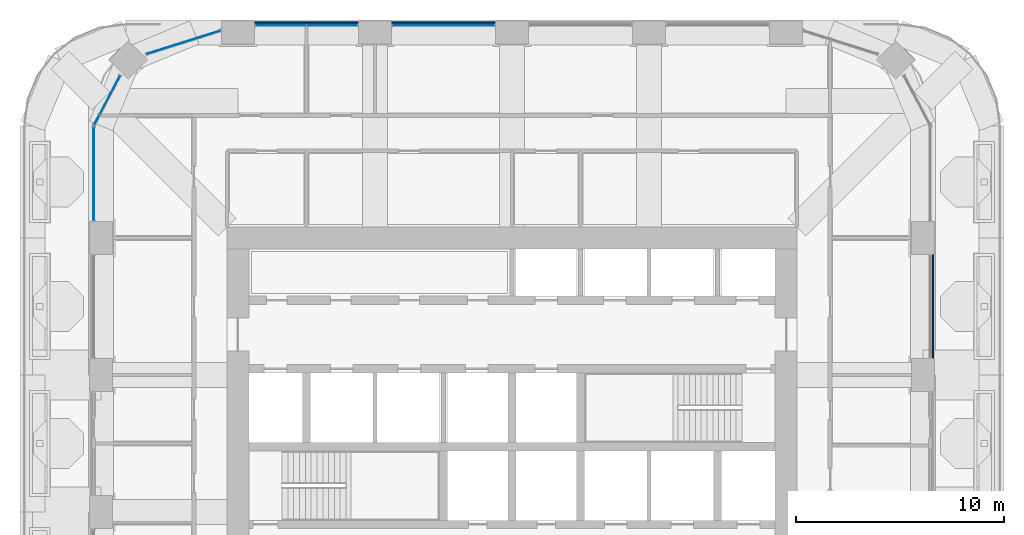
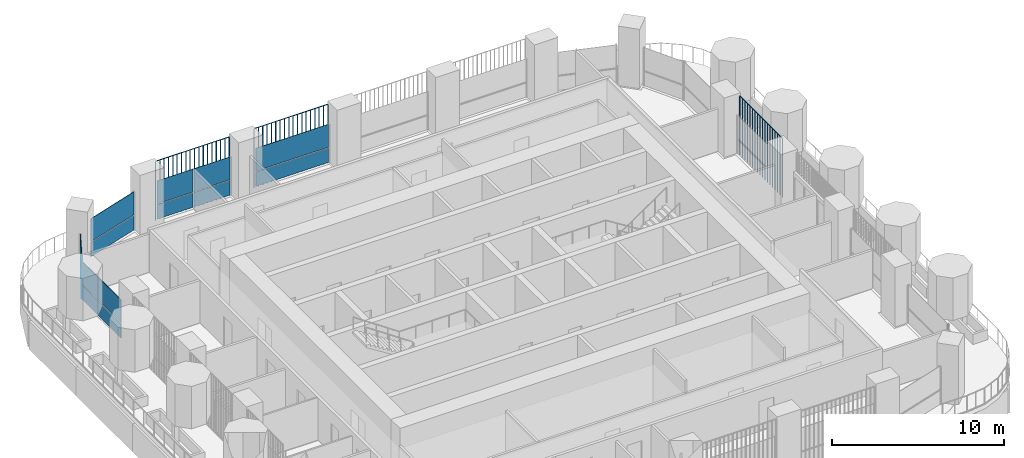
# One storey, part 12 of 24: 17 plates, 5 elements without a shape of their own.
"""IFC4 building model written with IfcOpenShell, lengths in metres."""

from ifc_helpers import new_model, si_unit, direction, frame, origin, origin_2d, place, context, subcontext, project, spatial, polyline, rectangle, outline, extrude, material, layer, layer_set, type_object, element, aggregate, save


model = new_model("IFC4")

# Units and contexts
model_context = context("Model", 3, precision=1e-05, world=origin(), true_north=direction((0.0, 1.0)))
body_context = subcontext(model_context, "Body", "Model", "MODEL_VIEW")
ifc_project = project(units=[si_unit("LENGTHUNIT", "METRE"), si_unit("AREAUNIT", "SQUARE_METRE"), si_unit("VOLUMEUNIT", "CUBIC_METRE"), si_unit("PLANEANGLEUNIT", "RADIAN"), si_unit("MASSUNIT", "GRAM", prefix="KILO")], contexts=[model_context])

# Site, building, storey
site_placement = place(None, origin())
site = spatial("IfcSite", under=ifc_project, at=site_placement, CompositionType="ELEMENT")
building_placement = place(site_placement, origin())
building = spatial("IfcBuilding", under=site, at=building_placement, Name="Cobogo Forest Laboratory Tower", CompositionType="ELEMENT")
storey_placement = place(building_placement, frame((0.0, 0.0, 229.199951171875)))
storey = spatial("IfcBuildingStorey", under=building, at=storey_placement, Name="L52", CompositionType="ELEMENT", Elevation=229.199951171875)

# Curtain wall, plates
ifc_material_1 = material(Name="Aluminium curtain wall", Category="aluminium")
curtain_wall_type = type_object("IfcCurtainWallType", Name="CW-2 unitised curtain wall, solar control glazing, laboratory floors zones C and D", PredefinedType="USERDEFINED", material=ifc_material_1)
curtain_wall_1_placement = place(storey_placement, origin())
curtain_wall_1 = element("IfcCurtainWall", 1, at=curtain_wall_1_placement, inside=storey, type_object=curtain_wall_type, Name="Curtain wall 16 L52", ObjectType="UNITISED CURTAIN WALL", PredefinedType="USERDEFINED")
ifc_material_2 = material(Name="Solar control insulated glass", Category="glass")
ifc_layer = layer(ifc_material_2, 0.031982421875)
ifc_layer_set = layer_set([ifc_layer], Name="GP-2 solar control glass unit 32")
plate_type_1 = type_object("IfcPlateType", Name="GP-2 solar control glass unit 32", PredefinedType="CURTAIN_PANEL", material=ifc_layer_set)
plate_1_placement = place(storey_placement, frame((23.10009765625, 43.25, 0.0), z_axis=(0.0, 0.0, 1.0), x_axis=(-1.0, 0.0, 0.0)))
plate_1 = element("IfcPlate", 2, at=plate_1_placement, type_object=plate_type_1, Name="CW-2 panel 1.1", PredefinedType="CURTAIN_PANEL", context=body_context, shape_type="SweptSolid", body=[
    extrude(rectangle(XDim=4.8798828125, YDim=0.031982421875, at=origin_2d()), origin(), (0.0, 0.0, 1.0), 1.02001953125),
])
plate_2_placement = place(storey_placement, frame((23.10009765625, 43.25, 1.080078125), z_axis=(0.0, 0.0, 1.0), x_axis=(-1.0, 0.0, 0.0)))
plate_2 = element("IfcPlate", 3, at=plate_2_placement, type_object=plate_type_1, Name="CW-2 panel 1.2", PredefinedType="CURTAIN_PANEL", context=body_context, shape_type="SweptSolid", body=[
    extrude(rectangle(XDim=4.8798828125, YDim=0.031982421875, at=origin_2d()), origin(), (0.0, 0.0, 1.0), 1.6201171875),
])
aggregate(curtain_wall_1, [plate_1, plate_2])

curtain_wall_2_placement = place(storey_placement, origin())
curtain_wall_2 = element("IfcCurtainWall", 4, at=curtain_wall_2_placement, inside=storey, type_object=curtain_wall_type, Name="Curtain wall 17 L52", ObjectType="UNITISED CURTAIN WALL", PredefinedType="USERDEFINED")
plate_3_placement = place(storey_placement, frame((17.735107421875, 43.25, 0.0), z_axis=(0.0, 0.0, 1.0), x_axis=(-1.0, 0.0, 0.0)))
plate_3 = element("IfcPlate", 5, at=plate_3_placement, type_object=plate_type_1, Name="CW-2 panel 1.1", PredefinedType="CURTAIN_PANEL", context=body_context, shape_type="SweptSolid", body=[
    extrude(rectangle(XDim=2.409912109375, YDim=0.031982421875, at=origin_2d()), origin(), (0.0, 0.0, 1.0), 1.02001953125),
])
plate_4_placement = place(storey_placement, frame((17.735107421875, 43.25, 1.080078125), z_axis=(0.0, 0.0, 1.0), x_axis=(-1.0, 0.0, 0.0)))
plate_4 = element("IfcPlate", 6, at=plate_4_placement, type_object=plate_type_1, Name="CW-2 panel 1.2", PredefinedType="CURTAIN_PANEL", context=body_context, shape_type="SweptSolid", body=[
    extrude(rectangle(XDim=2.409912109375, YDim=0.031982421875, at=origin_2d()), origin(), (0.0, 0.0, 1.0), 1.6201171875),
])
plate_5_placement = place(storey_placement, frame((15.264892578125, 43.25, 0.0), z_axis=(0.0, 0.0, 1.0), x_axis=(-1.0, 0.0, 0.0)))
plate_5 = element("IfcPlate", 7, at=plate_5_placement, type_object=plate_type_1, Name="CW-2 panel 2.1", PredefinedType="CURTAIN_PANEL", context=body_context, shape_type="SweptSolid", body=[
    extrude(rectangle(XDim=2.409912109375, YDim=0.031982421875, at=origin_2d()), origin(), (0.0, 0.0, 1.0), 1.02001953125),
])
plate_6_placement = place(storey_placement, frame((15.264892578125, 43.25, 1.080078125), z_axis=(0.0, 0.0, 1.0), x_axis=(-1.0, 0.0, 0.0)))
plate_6 = element("IfcPlate", 8, at=plate_6_placement, type_object=plate_type_1, Name="CW-2 panel 2.2", PredefinedType="CURTAIN_PANEL", context=body_context, shape_type="SweptSolid", body=[
    extrude(rectangle(XDim=2.409912109375, YDim=0.031982421875, at=origin_2d()), origin(), (0.0, 0.0, 1.0), 1.6201171875),
])
aggregate(curtain_wall_2, [plate_3, plate_4, plate_5, plate_6])

curtain_wall_3_placement = place(storey_placement, origin())
curtain_wall_3 = element("IfcCurtainWall", 9, at=curtain_wall_3_placement, inside=storey, type_object=curtain_wall_type, Name="Curtain wall 18 L52", ObjectType="UNITISED CURTAIN WALL", PredefinedType="USERDEFINED")
plate_7_placement = place(storey_placement, frame((10.578125, 42.422119140625, 0.0), z_axis=(0.0, 0.0, 1.0), x_axis=(-0.953581351952, -0.301135526315, 0.0)))
plate_7 = element("IfcPlate", 10, at=plate_7_placement, type_object=plate_type_1, Name="CW-2 panel 1.1", PredefinedType="CURTAIN_PANEL", context=body_context, shape_type="SweptSolid", body=[
    extrude(rectangle(XDim=3.700927734375, YDim=0.031982421875, at=origin_2d()), origin(), (0.0, 0.0, 1.0), 1.02001953125),
])
plate_8_placement = place(storey_placement, frame((10.578125, 42.422119140625, 1.080078125), z_axis=(0.0, 0.0, 1.0), x_axis=(-0.953581351952, -0.301135526315, 0.0)))
plate_8 = element("IfcPlate", 11, at=plate_8_placement, type_object=plate_type_1, Name="CW-2 panel 1.2", PredefinedType="CURTAIN_PANEL", context=body_context, shape_type="SweptSolid", body=[
    extrude(rectangle(XDim=3.700927734375, YDim=0.031982421875, at=origin_2d()), origin(), (0.0, 0.0, 1.0), 1.6201171875),
])
aggregate(curtain_wall_3, [plate_7, plate_8])

curtain_wall_4_placement = place(storey_placement, origin())
curtain_wall_4 = element("IfcCurtainWall", 12, at=curtain_wall_4_placement, inside=storey, type_object=curtain_wall_type, Name="Curtain wall 19 L52", ObjectType="UNITISED CURTAIN WALL", PredefinedType="USERDEFINED")
plate_9_placement = place(storey_placement, frame((7.028076171875, 39.884521484375, 0.0), z_axis=(0.0, 0.0, 1.0), x_axis=(-0.464283685186, -0.885686547075, 0.0)))
plate_9 = element("IfcPlate", 13, at=plate_9_placement, type_object=plate_type_1, Name="CW-2 panel 1.1", PredefinedType="CURTAIN_PANEL", context=body_context, shape_type="SweptSolid", body=[
    extrude(rectangle(XDim=2.0791015625, YDim=0.031982421875, at=origin_2d()), origin(), (0.0, 0.0, 1.0), 1.02001953125),
])
plate_10_placement = place(storey_placement, frame((7.028076171875, 39.884521484375, 1.080078125), z_axis=(0.0, 0.0, 1.0), x_axis=(-0.464283685186, -0.885686547075, 0.0)))
plate_10 = element("IfcPlate", 14, at=plate_10_placement, type_object=plate_type_1, Name="CW-2 panel 1.2", PredefinedType="CURTAIN_PANEL", context=body_context, shape_type="SweptSolid", body=[
    extrude(rectangle(XDim=2.0791015625, YDim=0.031982421875, at=origin_2d()), origin(), (0.0, 0.0, 1.0), 1.6201171875),
])
plate_11_placement = place(storey_placement, frame((6.397705078125, 38.681884765625, 0.0), z_axis=(0.0, 0.0, 1.0), x_axis=(-0.464283685186, -0.885686547075, 0.0)))
plate_11 = element("IfcPlate", 15, at=plate_11_placement, type_object=plate_type_1, Name="CW-2 panel 2.1", PredefinedType="CURTAIN_PANEL", context=body_context, shape_type="SweptSolid", body=[
    extrude(rectangle(XDim=0.516357421875, YDim=0.031982421875, at=origin_2d()), origin(), (0.0, 0.0, 1.0), 1.02001953125),
])
plate_12_placement = place(storey_placement, frame((6.397705078125, 38.681884765625, 1.080078125), z_axis=(0.0, 0.0, 1.0), x_axis=(-0.464283685186, -0.885686547075, 0.0)))
plate_12 = element("IfcPlate", 16, at=plate_12_placement, type_object=plate_type_1, Name="CW-2 panel 2.2", PredefinedType="CURTAIN_PANEL", context=body_context, shape_type="SweptSolid", body=[
    extrude(rectangle(XDim=0.516357421875, YDim=0.031982421875, at=origin_2d()), origin(), (0.0, 0.0, 1.0), 1.6201171875),
])
aggregate(curtain_wall_4, [plate_9, plate_10, plate_11, plate_12])

curtain_wall_5_placement = place(storey_placement, origin())
curtain_wall_5 = element("IfcCurtainWall", 17, at=curtain_wall_5_placement, inside=storey, type_object=curtain_wall_type, Name="Curtain wall 20 L52", ObjectType="UNITISED CURTAIN WALL", PredefinedType="USERDEFINED")
plate_13_placement = place(storey_placement, frame((6.25, 36.10009765625, 0.0), z_axis=(0.0, 0.0, 1.0), x_axis=(0.0, -1.0, 0.0)))
plate_13 = element("IfcPlate", 18, at=plate_13_placement, type_object=plate_type_1, Name="CW-2 panel 1.1", PredefinedType="CURTAIN_PANEL", context=body_context, shape_type="SweptSolid", body=[
    extrude(rectangle(XDim=4.47998046875, YDim=0.031982421875, at=origin_2d()), origin(), (0.0, 0.0, 1.0), 1.02001953125),
])
plate_14_placement = place(storey_placement, frame((6.25, 36.10009765625, 1.080078125), z_axis=(0.0, 0.0, 1.0), x_axis=(0.0, -1.0, 0.0)))
plate_14 = element("IfcPlate", 19, at=plate_14_placement, type_object=plate_type_1, Name="CW-2 panel 1.2", PredefinedType="CURTAIN_PANEL", context=body_context, shape_type="SweptSolid", body=[
    extrude(rectangle(XDim=4.47998046875, YDim=0.031982421875, at=origin_2d()), origin(), (0.0, 0.0, 1.0), 1.6201171875),
])
aggregate(curtain_wall_5, [plate_13, plate_14])

# Plates
ifc_material_3 = material(Name="Terracotta", Category="masonry")
plate_type_2 = type_object("IfcPlateType", Name="TB1 terracotta baguette screen", PredefinedType="USERDEFINED", material=ifc_material_3)
plate_15_placement = place(storey_placement, frame((46.677978515625, 27.231201171875, -0.14990234375)))
element("IfcPlate", 20, at=plate_15_placement, inside=storey, type_object=plate_type_2, Name="Baguette screen E3 L52", ObjectType="BAGUETTE SCREEN", PredefinedType="USERDEFINED", context=body_context, shape_type="SweptSolid", body=[
    extrude(outline(polyline([(0.02880859375, 0.011962890625), (0.011962890625, 0.02880859375), (-0.011962890625, 0.02880859375), (-0.02880859375, 0.011962890625), (-0.02880859375, -0.011962890625), (-0.011962890625, -0.02880859375), (0.011962890625, -0.02880859375), (0.02880859375, -0.011962890625), (0.02880859375, 0.011962890625)])), frame((0.0, 0.0, 4.168701171875), z_axis=(0.0, 1.0, 0.0), x_axis=(-1.0, 0.0, 0.0)), (0.0, 0.0, 1.0), 4.9375),
    extrude(outline(polyline([(0.02880859375, 0.011962890625), (0.011962890625, 0.02880859375), (-0.011962890625, 0.02880859375), (-0.02880859375, 0.011962890625), (-0.02880859375, -0.011962890625), (-0.011962890625, -0.02880859375), (0.011962890625, -0.02880859375), (0.02880859375, -0.011962890625), (0.02880859375, 0.011962890625)])), origin(), (0.0, 0.0, 1.0), 4.137451171875),
    extrude(outline(polyline([(0.02880859375, 0.011962890625), (0.011962890625, 0.02880859375), (-0.011962890625, 0.02880859375), (-0.02880859375, 0.011962890625), (-0.02880859375, -0.011962890625), (-0.011962890625, -0.02880859375), (0.011962890625, -0.02880859375), (0.02880859375, -0.011962890625), (0.02880859375, 0.011962890625)])), frame((0.0, 0.29052734375, 0.0)), (0.0, 0.0, 1.0), 4.137451171875),
    extrude(outline(polyline([(0.02880859375, 0.011962890625), (0.011962890625, 0.02880859375), (-0.011962890625, 0.02880859375), (-0.02880859375, 0.011962890625), (-0.02880859375, -0.011962890625), (-0.011962890625, -0.02880859375), (0.011962890625, -0.02880859375), (0.02880859375, -0.011962890625), (0.02880859375, 0.011962890625)])), frame((0.0, 0.580810546875, 0.0)), (0.0, 0.0, 1.0), 4.137451171875),
    extrude(outline(polyline([(0.02880859375, 0.011962890625), (0.011962890625, 0.02880859375), (-0.011962890625, 0.02880859375), (-0.02880859375, 0.011962890625), (-0.02880859375, -0.011962890625), (-0.011962890625, -0.02880859375), (0.011962890625, -0.02880859375), (0.02880859375, -0.011962890625), (0.02880859375, 0.011962890625)])), frame((0.0, 0.871337890625, 0.0)), (0.0, 0.0, 1.0), 4.137451171875),
    extrude(outline(polyline([(0.02880859375, 0.011962890625), (0.011962890625, 0.02880859375), (-0.011962890625, 0.02880859375), (-0.02880859375, 0.011962890625), (-0.02880859375, -0.011962890625), (-0.011962890625, -0.02880859375), (0.011962890625, -0.02880859375), (0.02880859375, -0.011962890625), (0.02880859375, 0.011962890625)])), frame((0.0, 1.161865234375, 0.0)), (0.0, 0.0, 1.0), 4.137451171875),
    extrude(outline(polyline([(0.02880859375, 0.011962890625), (0.011962890625, 0.02880859375), (-0.011962890625, 0.02880859375), (-0.02880859375, 0.011962890625), (-0.02880859375, -0.011962890625), (-0.011962890625, -0.02880859375), (0.011962890625, -0.02880859375), (0.02880859375, -0.011962890625), (0.02880859375, 0.011962890625)])), frame((0.0, 1.4521484375, 0.0)), (0.0, 0.0, 1.0), 4.137451171875),
    extrude(outline(polyline([(0.02880859375, 0.011962890625), (0.011962890625, 0.02880859375), (-0.011962890625, 0.02880859375), (-0.02880859375, 0.011962890625), (-0.02880859375, -0.011962890625), (-0.011962890625, -0.02880859375), (0.011962890625, -0.02880859375), (0.02880859375, -0.011962890625), (0.02880859375, 0.011962890625)])), frame((0.0, 1.74267578125, 0.0)), (0.0, 0.0, 1.0), 4.137451171875),
    extrude(outline(polyline([(0.02880859375, 0.011962890625), (0.011962890625, 0.02880859375), (-0.011962890625, 0.02880859375), (-0.02880859375, 0.011962890625), (-0.02880859375, -0.011962890625), (-0.011962890625, -0.02880859375), (0.011962890625, -0.02880859375), (0.02880859375, -0.011962890625), (0.02880859375, 0.011962890625)])), frame((0.0, 2.033203125, 0.0)), (0.0, 0.0, 1.0), 4.137451171875),
    extrude(outline(polyline([(0.02880859375, 0.011962890625), (0.011962890625, 0.02880859375), (-0.011962890625, 0.02880859375), (-0.02880859375, 0.011962890625), (-0.02880859375, -0.011962890625), (-0.011962890625, -0.02880859375), (0.011962890625, -0.02880859375), (0.02880859375, -0.011962890625), (0.02880859375, 0.011962890625)])), frame((0.0, 2.323486328125, 0.0)), (0.0, 0.0, 1.0), 4.137451171875),
    extrude(outline(polyline([(0.02880859375, 0.011962890625), (0.011962890625, 0.02880859375), (-0.011962890625, 0.02880859375), (-0.02880859375, 0.011962890625), (-0.02880859375, -0.011962890625), (-0.011962890625, -0.02880859375), (0.011962890625, -0.02880859375), (0.02880859375, -0.011962890625), (0.02880859375, 0.011962890625)])), frame((0.0, 2.614013671875, 0.0)), (0.0, 0.0, 1.0), 4.137451171875),
    extrude(outline(polyline([(0.02880859375, 0.011962890625), (0.011962890625, 0.02880859375), (-0.011962890625, 0.02880859375), (-0.02880859375, 0.011962890625), (-0.02880859375, -0.011962890625), (-0.011962890625, -0.02880859375), (0.011962890625, -0.02880859375), (0.02880859375, -0.011962890625), (0.02880859375, 0.011962890625)])), frame((0.0, 2.904296875, 0.0)), (0.0, 0.0, 1.0), 4.137451171875),
    extrude(outline(polyline([(0.02880859375, 0.011962890625), (0.011962890625, 0.02880859375), (-0.011962890625, 0.02880859375), (-0.02880859375, 0.011962890625), (-0.02880859375, -0.011962890625), (-0.011962890625, -0.02880859375), (0.011962890625, -0.02880859375), (0.02880859375, -0.011962890625), (0.02880859375, 0.011962890625)])), frame((0.0, 3.19482421875, 0.0)), (0.0, 0.0, 1.0), 4.137451171875),
    extrude(outline(polyline([(0.02880859375, 0.011962890625), (0.011962890625, 0.02880859375), (-0.011962890625, 0.02880859375), (-0.02880859375, 0.011962890625), (-0.02880859375, -0.011962890625), (-0.011962890625, -0.02880859375), (0.011962890625, -0.02880859375), (0.02880859375, -0.011962890625), (0.02880859375, 0.011962890625)])), frame((0.0, 3.4853515625, 0.0)), (0.0, 0.0, 1.0), 4.137451171875),
    extrude(outline(polyline([(0.02880859375, 0.011962890625), (0.011962890625, 0.02880859375), (-0.011962890625, 0.02880859375), (-0.02880859375, 0.011962890625), (-0.02880859375, -0.011962890625), (-0.011962890625, -0.02880859375), (0.011962890625, -0.02880859375), (0.02880859375, -0.011962890625), (0.02880859375, 0.011962890625)])), frame((0.0, 3.775634765625, 0.0)), (0.0, 0.0, 1.0), 4.137451171875),
    extrude(outline(polyline([(0.02880859375, 0.011962890625), (0.011962890625, 0.02880859375), (-0.011962890625, 0.02880859375), (-0.02880859375, 0.011962890625), (-0.02880859375, -0.011962890625), (-0.011962890625, -0.02880859375), (0.011962890625, -0.02880859375), (0.02880859375, -0.011962890625), (0.02880859375, 0.011962890625)])), frame((0.0, 4.066162109375, 0.0)), (0.0, 0.0, 1.0), 4.137451171875),
    extrude(outline(polyline([(0.02880859375, 0.011962890625), (0.011962890625, 0.02880859375), (-0.011962890625, 0.02880859375), (-0.02880859375, 0.011962890625), (-0.02880859375, -0.011962890625), (-0.011962890625, -0.02880859375), (0.011962890625, -0.02880859375), (0.02880859375, -0.011962890625), (0.02880859375, 0.011962890625)])), frame((0.0, 4.356689453125, 0.0)), (0.0, 0.0, 1.0), 4.137451171875),
    extrude(outline(polyline([(0.02880859375, 0.011962890625), (0.011962890625, 0.02880859375), (-0.011962890625, 0.02880859375), (-0.02880859375, 0.011962890625), (-0.02880859375, -0.011962890625), (-0.011962890625, -0.02880859375), (0.011962890625, -0.02880859375), (0.02880859375, -0.011962890625), (0.02880859375, 0.011962890625)])), frame((0.0, 4.64697265625, 0.0)), (0.0, 0.0, 1.0), 4.137451171875),
    extrude(outline(polyline([(0.02880859375, 0.011962890625), (0.011962890625, 0.02880859375), (-0.011962890625, 0.02880859375), (-0.02880859375, 0.011962890625), (-0.02880859375, -0.011962890625), (-0.011962890625, -0.02880859375), (0.011962890625, -0.02880859375), (0.02880859375, -0.011962890625), (0.02880859375, 0.011962890625)])), frame((0.0, 4.9375, 0.0)), (0.0, 0.0, 1.0), 4.137451171875),
])
plate_16_placement = place(storey_placement, frame((14.03125, 43.3779296875, -0.14990234375)))
element("IfcPlate", 21, at=plate_16_placement, inside=storey, type_object=plate_type_2, Name="Baguette screen N1 L52", ObjectType="BAGUETTE SCREEN", PredefinedType="USERDEFINED", context=body_context, shape_type="SweptSolid", body=[
    extrude(outline(polyline([(0.02880859375, 0.011962890625), (0.011962890625, 0.02880859375), (-0.011962890625, 0.02880859375), (-0.02880859375, 0.011962890625), (-0.02880859375, -0.011962890625), (-0.011962890625, -0.02880859375), (0.011962890625, -0.02880859375), (0.02880859375, -0.011962890625), (0.02880859375, 0.011962890625)])), frame((0.0, 0.0, 4.168701171875), z_axis=(1.0, 0.0, 0.0), x_axis=(0.0, 1.0, 0.0)), (0.0, 0.0, 1.0), 4.9375),
    extrude(outline(polyline([(0.02880859375, 0.011962890625), (0.011962890625, 0.02880859375), (-0.011962890625, 0.02880859375), (-0.02880859375, 0.011962890625), (-0.02880859375, -0.011962890625), (-0.011962890625, -0.02880859375), (0.011962890625, -0.02880859375), (0.02880859375, -0.011962890625), (0.02880859375, 0.011962890625)])), origin(), (0.0, 0.0, 1.0), 4.137451171875),
    extrude(outline(polyline([(0.02880859375, 0.011962890625), (0.011962890625, 0.02880859375), (-0.011962890625, 0.02880859375), (-0.02880859375, 0.011962890625), (-0.02880859375, -0.011962890625), (-0.011962890625, -0.02880859375), (0.011962890625, -0.02880859375), (0.02880859375, -0.011962890625), (0.02880859375, 0.011962890625)])), frame((0.29052734375, 0.0, 0.0)), (0.0, 0.0, 1.0), 4.137451171875),
    extrude(outline(polyline([(0.02880859375, 0.011962890625), (0.011962890625, 0.02880859375), (-0.011962890625, 0.02880859375), (-0.02880859375, 0.011962890625), (-0.02880859375, -0.011962890625), (-0.011962890625, -0.02880859375), (0.011962890625, -0.02880859375), (0.02880859375, -0.011962890625), (0.02880859375, 0.011962890625)])), frame((0.580810546875, 0.0, 0.0)), (0.0, 0.0, 1.0), 4.137451171875),
    extrude(outline(polyline([(0.02880859375, 0.011962890625), (0.011962890625, 0.02880859375), (-0.011962890625, 0.02880859375), (-0.02880859375, 0.011962890625), (-0.02880859375, -0.011962890625), (-0.011962890625, -0.02880859375), (0.011962890625, -0.02880859375), (0.02880859375, -0.011962890625), (0.02880859375, 0.011962890625)])), frame((0.871337890625, 0.0, 0.0)), (0.0, 0.0, 1.0), 4.137451171875),
    extrude(outline(polyline([(0.02880859375, 0.011962890625), (0.011962890625, 0.02880859375), (-0.011962890625, 0.02880859375), (-0.02880859375, 0.011962890625), (-0.02880859375, -0.011962890625), (-0.011962890625, -0.02880859375), (0.011962890625, -0.02880859375), (0.02880859375, -0.011962890625), (0.02880859375, 0.011962890625)])), frame((1.161865234375, 0.0, 0.0)), (0.0, 0.0, 1.0), 4.137451171875),
    extrude(outline(polyline([(0.02880859375, 0.011962890625), (0.011962890625, 0.02880859375), (-0.011962890625, 0.02880859375), (-0.02880859375, 0.011962890625), (-0.02880859375, -0.011962890625), (-0.011962890625, -0.02880859375), (0.011962890625, -0.02880859375), (0.02880859375, -0.011962890625), (0.02880859375, 0.011962890625)])), frame((1.4521484375, 0.0, 0.0)), (0.0, 0.0, 1.0), 4.137451171875),
    extrude(outline(polyline([(0.02880859375, 0.011962890625), (0.011962890625, 0.02880859375), (-0.011962890625, 0.02880859375), (-0.02880859375, 0.011962890625), (-0.02880859375, -0.011962890625), (-0.011962890625, -0.02880859375), (0.011962890625, -0.02880859375), (0.02880859375, -0.011962890625), (0.02880859375, 0.011962890625)])), frame((1.74267578125, 0.0, 0.0)), (0.0, 0.0, 1.0), 4.137451171875),
    extrude(outline(polyline([(0.02880859375, 0.011962890625), (0.011962890625, 0.02880859375), (-0.011962890625, 0.02880859375), (-0.02880859375, 0.011962890625), (-0.02880859375, -0.011962890625), (-0.011962890625, -0.02880859375), (0.011962890625, -0.02880859375), (0.02880859375, -0.011962890625), (0.02880859375, 0.011962890625)])), frame((2.033203125, 0.0, 0.0)), (0.0, 0.0, 1.0), 4.137451171875),
    extrude(outline(polyline([(0.02880859375, 0.011962890625), (0.011962890625, 0.02880859375), (-0.011962890625, 0.02880859375), (-0.02880859375, 0.011962890625), (-0.02880859375, -0.011962890625), (-0.011962890625, -0.02880859375), (0.011962890625, -0.02880859375), (0.02880859375, -0.011962890625), (0.02880859375, 0.011962890625)])), frame((2.323486328125, 0.0, 0.0)), (0.0, 0.0, 1.0), 4.137451171875),
    extrude(outline(polyline([(0.02880859375, 0.011962890625), (0.011962890625, 0.02880859375), (-0.011962890625, 0.02880859375), (-0.02880859375, 0.011962890625), (-0.02880859375, -0.011962890625), (-0.011962890625, -0.02880859375), (0.011962890625, -0.02880859375), (0.02880859375, -0.011962890625), (0.02880859375, 0.011962890625)])), frame((2.614013671875, 0.0, 0.0)), (0.0, 0.0, 1.0), 4.137451171875),
    extrude(outline(polyline([(0.02880859375, 0.011962890625), (0.011962890625, 0.02880859375), (-0.011962890625, 0.02880859375), (-0.02880859375, 0.011962890625), (-0.02880859375, -0.011962890625), (-0.011962890625, -0.02880859375), (0.011962890625, -0.02880859375), (0.02880859375, -0.011962890625), (0.02880859375, 0.011962890625)])), frame((2.904296875, 0.0, 0.0)), (0.0, 0.0, 1.0), 4.137451171875),
    extrude(outline(polyline([(0.02880859375, 0.011962890625), (0.011962890625, 0.02880859375), (-0.011962890625, 0.02880859375), (-0.02880859375, 0.011962890625), (-0.02880859375, -0.011962890625), (-0.011962890625, -0.02880859375), (0.011962890625, -0.02880859375), (0.02880859375, -0.011962890625), (0.02880859375, 0.011962890625)])), frame((3.19482421875, 0.0, 0.0)), (0.0, 0.0, 1.0), 4.137451171875),
    extrude(outline(polyline([(0.02880859375, 0.011962890625), (0.011962890625, 0.02880859375), (-0.011962890625, 0.02880859375), (-0.02880859375, 0.011962890625), (-0.02880859375, -0.011962890625), (-0.011962890625, -0.02880859375), (0.011962890625, -0.02880859375), (0.02880859375, -0.011962890625), (0.02880859375, 0.011962890625)])), frame((3.4853515625, 0.0, 0.0)), (0.0, 0.0, 1.0), 4.137451171875),
    extrude(outline(polyline([(0.02880859375, 0.011962890625), (0.011962890625, 0.02880859375), (-0.011962890625, 0.02880859375), (-0.02880859375, 0.011962890625), (-0.02880859375, -0.011962890625), (-0.011962890625, -0.02880859375), (0.011962890625, -0.02880859375), (0.02880859375, -0.011962890625), (0.02880859375, 0.011962890625)])), frame((3.775634765625, 0.0, 0.0)), (0.0, 0.0, 1.0), 4.137451171875),
    extrude(outline(polyline([(0.02880859375, 0.011962890625), (0.011962890625, 0.02880859375), (-0.011962890625, 0.02880859375), (-0.02880859375, 0.011962890625), (-0.02880859375, -0.011962890625), (-0.011962890625, -0.02880859375), (0.011962890625, -0.02880859375), (0.02880859375, -0.011962890625), (0.02880859375, 0.011962890625)])), frame((4.066162109375, 0.0, 0.0)), (0.0, 0.0, 1.0), 4.137451171875),
    extrude(outline(polyline([(0.02880859375, 0.011962890625), (0.011962890625, 0.02880859375), (-0.011962890625, 0.02880859375), (-0.02880859375, 0.011962890625), (-0.02880859375, -0.011962890625), (-0.011962890625, -0.02880859375), (0.011962890625, -0.02880859375), (0.02880859375, -0.011962890625), (0.02880859375, 0.011962890625)])), frame((4.356689453125, 0.0, 0.0)), (0.0, 0.0, 1.0), 4.137451171875),
    extrude(outline(polyline([(0.02880859375, 0.011962890625), (0.011962890625, 0.02880859375), (-0.011962890625, 0.02880859375), (-0.02880859375, 0.011962890625), (-0.02880859375, -0.011962890625), (-0.011962890625, -0.02880859375), (0.011962890625, -0.02880859375), (0.02880859375, -0.011962890625), (0.02880859375, 0.011962890625)])), frame((4.64697265625, 0.0, 0.0)), (0.0, 0.0, 1.0), 4.137451171875),
    extrude(outline(polyline([(0.02880859375, 0.011962890625), (0.011962890625, 0.02880859375), (-0.011962890625, 0.02880859375), (-0.02880859375, 0.011962890625), (-0.02880859375, -0.011962890625), (-0.011962890625, -0.02880859375), (0.011962890625, -0.02880859375), (0.02880859375, -0.011962890625), (0.02880859375, 0.011962890625)])), frame((4.9375, 0.0, 0.0)), (0.0, 0.0, 1.0), 4.137451171875),
])
plate_17_placement = place(storey_placement, frame((20.63134765625, 43.3779296875, -0.14990234375)))
element("IfcPlate", 22, at=plate_17_placement, inside=storey, type_object=plate_type_2, Name="Baguette screen N2 L52", ObjectType="BAGUETTE SCREEN", PredefinedType="USERDEFINED", context=body_context, shape_type="SweptSolid", body=[
    extrude(outline(polyline([(0.02880859375, 0.011962890625), (0.011962890625, 0.02880859375), (-0.011962890625, 0.02880859375), (-0.02880859375, 0.011962890625), (-0.02880859375, -0.011962890625), (-0.011962890625, -0.02880859375), (0.011962890625, -0.02880859375), (0.02880859375, -0.011962890625), (0.02880859375, 0.011962890625)])), frame((0.0, 0.0, 4.168701171875), z_axis=(1.0, 0.0, 0.0), x_axis=(0.0, 1.0, 0.0)), (0.0, 0.0, 1.0), 4.9375),
    extrude(outline(polyline([(0.02880859375, 0.011962890625), (0.011962890625, 0.02880859375), (-0.011962890625, 0.02880859375), (-0.02880859375, 0.011962890625), (-0.02880859375, -0.011962890625), (-0.011962890625, -0.02880859375), (0.011962890625, -0.02880859375), (0.02880859375, -0.011962890625), (0.02880859375, 0.011962890625)])), origin(), (0.0, 0.0, 1.0), 4.137451171875),
    extrude(outline(polyline([(0.02880859375, 0.011962890625), (0.011962890625, 0.02880859375), (-0.011962890625, 0.02880859375), (-0.02880859375, 0.011962890625), (-0.02880859375, -0.011962890625), (-0.011962890625, -0.02880859375), (0.011962890625, -0.02880859375), (0.02880859375, -0.011962890625), (0.02880859375, 0.011962890625)])), frame((0.29052734375, 0.0, 0.0)), (0.0, 0.0, 1.0), 4.137451171875),
    extrude(outline(polyline([(0.02880859375, 0.011962890625), (0.011962890625, 0.02880859375), (-0.011962890625, 0.02880859375), (-0.02880859375, 0.011962890625), (-0.02880859375, -0.011962890625), (-0.011962890625, -0.02880859375), (0.011962890625, -0.02880859375), (0.02880859375, -0.011962890625), (0.02880859375, 0.011962890625)])), frame((0.580810546875, 0.0, 0.0)), (0.0, 0.0, 1.0), 4.137451171875),
    extrude(outline(polyline([(0.02880859375, 0.011962890625), (0.011962890625, 0.02880859375), (-0.011962890625, 0.02880859375), (-0.02880859375, 0.011962890625), (-0.02880859375, -0.011962890625), (-0.011962890625, -0.02880859375), (0.011962890625, -0.02880859375), (0.02880859375, -0.011962890625), (0.02880859375, 0.011962890625)])), frame((0.871337890625, 0.0, 0.0)), (0.0, 0.0, 1.0), 4.137451171875),
    extrude(outline(polyline([(0.02880859375, 0.011962890625), (0.011962890625, 0.02880859375), (-0.011962890625, 0.02880859375), (-0.02880859375, 0.011962890625), (-0.02880859375, -0.011962890625), (-0.011962890625, -0.02880859375), (0.011962890625, -0.02880859375), (0.02880859375, -0.011962890625), (0.02880859375, 0.011962890625)])), frame((1.161865234375, 0.0, 0.0)), (0.0, 0.0, 1.0), 4.137451171875),
    extrude(outline(polyline([(0.02880859375, 0.011962890625), (0.011962890625, 0.02880859375), (-0.011962890625, 0.02880859375), (-0.02880859375, 0.011962890625), (-0.02880859375, -0.011962890625), (-0.011962890625, -0.02880859375), (0.011962890625, -0.02880859375), (0.02880859375, -0.011962890625), (0.02880859375, 0.011962890625)])), frame((1.4521484375, 0.0, 0.0)), (0.0, 0.0, 1.0), 4.137451171875),
    extrude(outline(polyline([(0.02880859375, 0.011962890625), (0.011962890625, 0.02880859375), (-0.011962890625, 0.02880859375), (-0.02880859375, 0.011962890625), (-0.02880859375, -0.011962890625), (-0.011962890625, -0.02880859375), (0.011962890625, -0.02880859375), (0.02880859375, -0.011962890625), (0.02880859375, 0.011962890625)])), frame((1.74267578125, 0.0, 0.0)), (0.0, 0.0, 1.0), 4.137451171875),
    extrude(outline(polyline([(0.02880859375, 0.011962890625), (0.011962890625, 0.02880859375), (-0.011962890625, 0.02880859375), (-0.02880859375, 0.011962890625), (-0.02880859375, -0.011962890625), (-0.011962890625, -0.02880859375), (0.011962890625, -0.02880859375), (0.02880859375, -0.011962890625), (0.02880859375, 0.011962890625)])), frame((2.033203125, 0.0, 0.0)), (0.0, 0.0, 1.0), 4.137451171875),
    extrude(outline(polyline([(0.02880859375, 0.011962890625), (0.011962890625, 0.02880859375), (-0.011962890625, 0.02880859375), (-0.02880859375, 0.011962890625), (-0.02880859375, -0.011962890625), (-0.011962890625, -0.02880859375), (0.011962890625, -0.02880859375), (0.02880859375, -0.011962890625), (0.02880859375, 0.011962890625)])), frame((2.323486328125, 0.0, 0.0)), (0.0, 0.0, 1.0), 4.137451171875),
    extrude(outline(polyline([(0.02880859375, 0.011962890625), (0.011962890625, 0.02880859375), (-0.011962890625, 0.02880859375), (-0.02880859375, 0.011962890625), (-0.02880859375, -0.011962890625), (-0.011962890625, -0.02880859375), (0.011962890625, -0.02880859375), (0.02880859375, -0.011962890625), (0.02880859375, 0.011962890625)])), frame((2.614013671875, 0.0, 0.0)), (0.0, 0.0, 1.0), 4.137451171875),
    extrude(outline(polyline([(0.02880859375, 0.011962890625), (0.011962890625, 0.02880859375), (-0.011962890625, 0.02880859375), (-0.02880859375, 0.011962890625), (-0.02880859375, -0.011962890625), (-0.011962890625, -0.02880859375), (0.011962890625, -0.02880859375), (0.02880859375, -0.011962890625), (0.02880859375, 0.011962890625)])), frame((2.904296875, 0.0, 0.0)), (0.0, 0.0, 1.0), 4.137451171875),
    extrude(outline(polyline([(0.02880859375, 0.011962890625), (0.011962890625, 0.02880859375), (-0.011962890625, 0.02880859375), (-0.02880859375, 0.011962890625), (-0.02880859375, -0.011962890625), (-0.011962890625, -0.02880859375), (0.011962890625, -0.02880859375), (0.02880859375, -0.011962890625), (0.02880859375, 0.011962890625)])), frame((3.19482421875, 0.0, 0.0)), (0.0, 0.0, 1.0), 4.137451171875),
    extrude(outline(polyline([(0.02880859375, 0.011962890625), (0.011962890625, 0.02880859375), (-0.011962890625, 0.02880859375), (-0.02880859375, 0.011962890625), (-0.02880859375, -0.011962890625), (-0.011962890625, -0.02880859375), (0.011962890625, -0.02880859375), (0.02880859375, -0.011962890625), (0.02880859375, 0.011962890625)])), frame((3.4853515625, 0.0, 0.0)), (0.0, 0.0, 1.0), 4.137451171875),
    extrude(outline(polyline([(0.02880859375, 0.011962890625), (0.011962890625, 0.02880859375), (-0.011962890625, 0.02880859375), (-0.02880859375, 0.011962890625), (-0.02880859375, -0.011962890625), (-0.011962890625, -0.02880859375), (0.011962890625, -0.02880859375), (0.02880859375, -0.011962890625), (0.02880859375, 0.011962890625)])), frame((3.775634765625, 0.0, 0.0)), (0.0, 0.0, 1.0), 4.137451171875),
    extrude(outline(polyline([(0.02880859375, 0.011962890625), (0.011962890625, 0.02880859375), (-0.011962890625, 0.02880859375), (-0.02880859375, 0.011962890625), (-0.02880859375, -0.011962890625), (-0.011962890625, -0.02880859375), (0.011962890625, -0.02880859375), (0.02880859375, -0.011962890625), (0.02880859375, 0.011962890625)])), frame((4.066162109375, 0.0, 0.0)), (0.0, 0.0, 1.0), 4.137451171875),
    extrude(outline(polyline([(0.02880859375, 0.011962890625), (0.011962890625, 0.02880859375), (-0.011962890625, 0.02880859375), (-0.02880859375, 0.011962890625), (-0.02880859375, -0.011962890625), (-0.011962890625, -0.02880859375), (0.011962890625, -0.02880859375), (0.02880859375, -0.011962890625), (0.02880859375, 0.011962890625)])), frame((4.356689453125, 0.0, 0.0)), (0.0, 0.0, 1.0), 4.137451171875),
    extrude(outline(polyline([(0.02880859375, 0.011962890625), (0.011962890625, 0.02880859375), (-0.011962890625, 0.02880859375), (-0.02880859375, 0.011962890625), (-0.02880859375, -0.011962890625), (-0.011962890625, -0.02880859375), (0.011962890625, -0.02880859375), (0.02880859375, -0.011962890625), (0.02880859375, 0.011962890625)])), frame((4.64697265625, 0.0, 0.0)), (0.0, 0.0, 1.0), 4.137451171875),
    extrude(outline(polyline([(0.02880859375, 0.011962890625), (0.011962890625, 0.02880859375), (-0.011962890625, 0.02880859375), (-0.02880859375, 0.011962890625), (-0.02880859375, -0.011962890625), (-0.011962890625, -0.02880859375), (0.011962890625, -0.02880859375), (0.02880859375, -0.011962890625), (0.02880859375, 0.011962890625)])), frame((4.9375, 0.0, 0.0)), (0.0, 0.0, 1.0), 4.137451171875),
])

save(model, "model.ifc")
